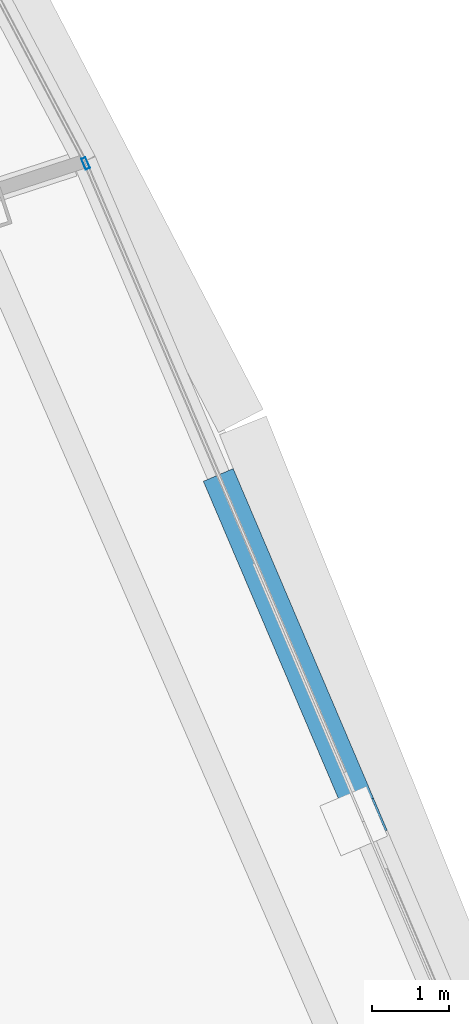
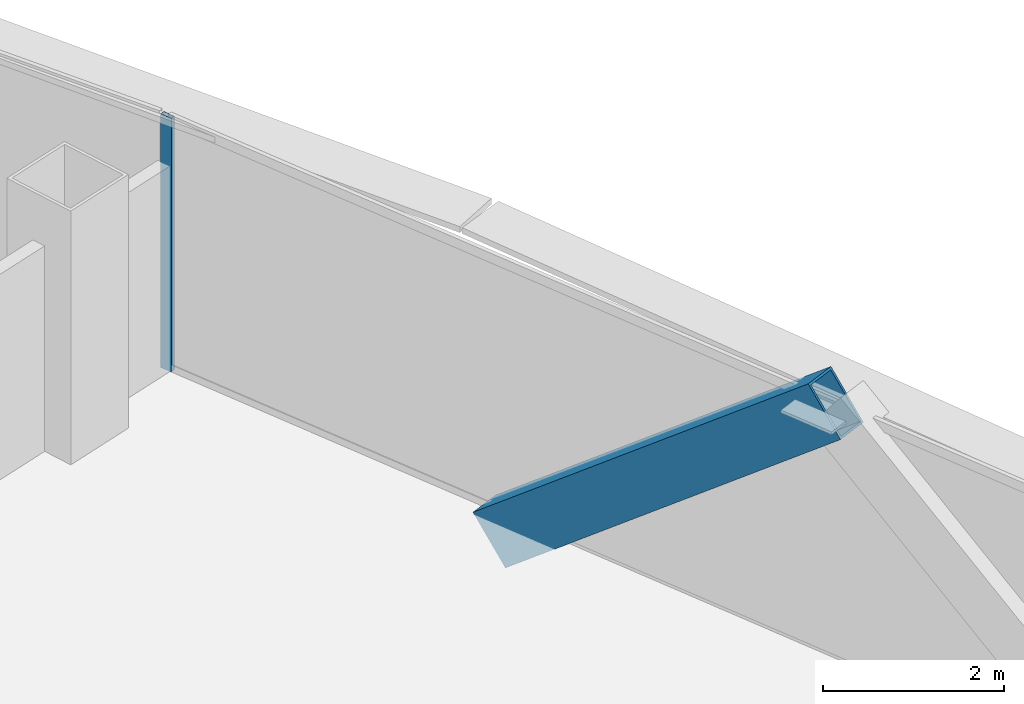
# One storey, part 26 of 39: 2 members, 1 element without a shape of its own.
"""IFC4 building model written with IfcOpenShell, lengths in metres."""

from ifc_helpers import new_model, si_unit, direction, frame, origin, origin_2d, place, context, subcontext, project, spatial, hollow_rectangle, extrude, source, transform, mapped, material, layer, layer_set, material_profile, profile_set, type_object, element, aggregate, save


model = new_model("IFC4")

# Units and contexts
model_context = context("Model", 3, precision=1e-05, world=origin(), true_north=direction((0.0, 1.0)))
body_context = subcontext(model_context, "Body", "Model", "MODEL_VIEW")
ifc_project = project(units=[si_unit("LENGTHUNIT", "METRE"), si_unit("AREAUNIT", "SQUARE_METRE"), si_unit("VOLUMEUNIT", "CUBIC_METRE"), si_unit("PLANEANGLEUNIT", "RADIAN"), si_unit("MASSUNIT", "GRAM", prefix="KILO"), si_unit("THERMODYNAMICTEMPERATUREUNIT", "KELVIN"), si_unit("POWERUNIT", "WATT")], contexts=[model_context])

# Site, building, storey
site_placement = place(None, origin())
site = spatial("IfcSite", under=ifc_project, at=site_placement, CompositionType="ELEMENT")
building_placement = place(site_placement, origin())
building = spatial("IfcBuilding", under=site, at=building_placement, Name="Yunzhuo Pagoda Commons", CompositionType="ELEMENT")
storey_placement = place(building_placement, frame((0.0, 0.0, 148.22998046875)))
storey = spatial("IfcBuildingStorey", under=building, at=storey_placement, Name="L37", CompositionType="ELEMENT", Elevation=148.22998046875)

# Member
ifc_material_1 = material(Name="Structural steel Q420B", Category="steel")
ifc_material_profile_1 = material_profile(ifc_material_1, hollow_rectangle(XDim=0.419921875, YDim=0.719970703125, WallThickness=0.028076171875, at=origin_2d()), Name="Structural steel Q420B")
ifc_profile_set_1 = profile_set([ifc_material_profile_1], Name="Structural steel Q420B")
member_type_1 = type_object("IfcMemberType", Name="M-DL1 Brace BOX 720x420x28", PredefinedType="BRACE", material=ifc_profile_set_1)
shared_shape_1 = source(origin(), body_context, "Body", "SweptSolid", [
    extrude(hollow_rectangle(XDim=0.419921875, YDim=0.719970703125, WallThickness=0.028076171875, at=origin_2d()), origin(), (0.0, 0.0, 1.0), 5.915283203125),
])
member_1_placement = place(storey_placement, frame((81.26611328125, 39.658203125, -0.260009765625), z_axis=(0.306695249889, -0.720368576444, 0.622098977469), x_axis=(0.920083094717, 0.391723242629, 0.0)))
element("IfcMember", 1, at=member_1_placement, inside=storey, type_object=member_type_1, Name="L37 facade diamond brace F2.1R", PredefinedType="BRACE", context=body_context, shape_type="MappedRepresentation", body=[
    mapped(shared_shape_1, transform((0.0, 0.0, 0.0), scale=1.0)),
])

# Curtain wall, member
ifc_material_2 = material(Name="Anodized aluminium 6063-T6", Category="aluminium")
ifc_layer = layer(ifc_material_2, 0.14990234375)
ifc_layer_set = layer_set([ifc_layer], Name="Anodized aluminium 6063-T6")
curtain_wall_type = type_object("IfcCurtainWallType", Name="CW-MID Mid-Zone Ribbon Curtain Wall", PredefinedType="NOTDEFINED", material=ifc_layer_set)
curtain_wall_placement = place(storey_placement, origin())
curtain_wall = element("IfcCurtainWall", 2, at=curtain_wall_placement, inside=storey, type_object=curtain_wall_type, Name="L37 curtain wall CW-L37-F2B2", PredefinedType="NOTDEFINED")
ifc_material_profile_2 = material_profile(ifc_material_2, hollow_rectangle(XDim=0.06005859375, YDim=0.14990234375, WallThickness=0.00390625, at=origin_2d()), Name="Anodized aluminium 6063-T6")
ifc_profile_set_2 = profile_set([ifc_material_profile_2], Name="Anodized aluminium 6063-T6")
member_type_2 = type_object("IfcMemberType", Name="CW-MID-M Mullion RHS 150x60x4", PredefinedType="MULLION", material=ifc_profile_set_2)
shared_shape_2 = source(origin(), body_context, "Body", "SweptSolid", [
    extrude(hollow_rectangle(XDim=0.06005859375, YDim=0.14990234375, WallThickness=0.00390625, at=origin_2d()), origin(), (0.0, 0.0, 1.0), 3.419677734375),
])
member_2_placement = place(storey_placement, frame((79.46337890625, 43.8916015625, 0.000244140625), z_axis=(0.0, 0.0, 1.0), x_axis=(-0.920072228059, -0.391748765351, 0.0)))
member_2 = element("IfcMember", 3, at=member_2_placement, type_object=member_type_2, Name="CW mullion 2", PredefinedType="MULLION", context=body_context, shape_type="MappedRepresentation", body=[
    mapped(shared_shape_2, transform((0.0, 0.0, 0.0), scale=1.0)),
])
aggregate(curtain_wall, [member_2])

save(model, "model.ifc")
